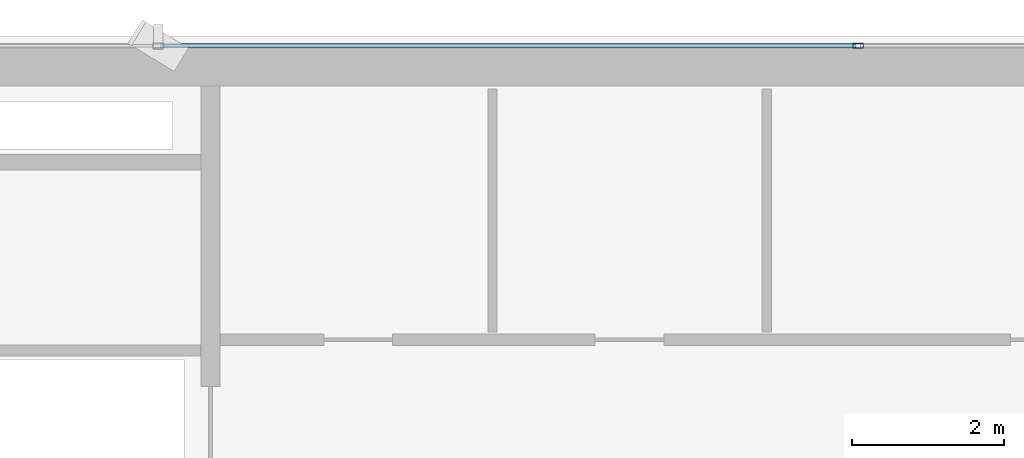
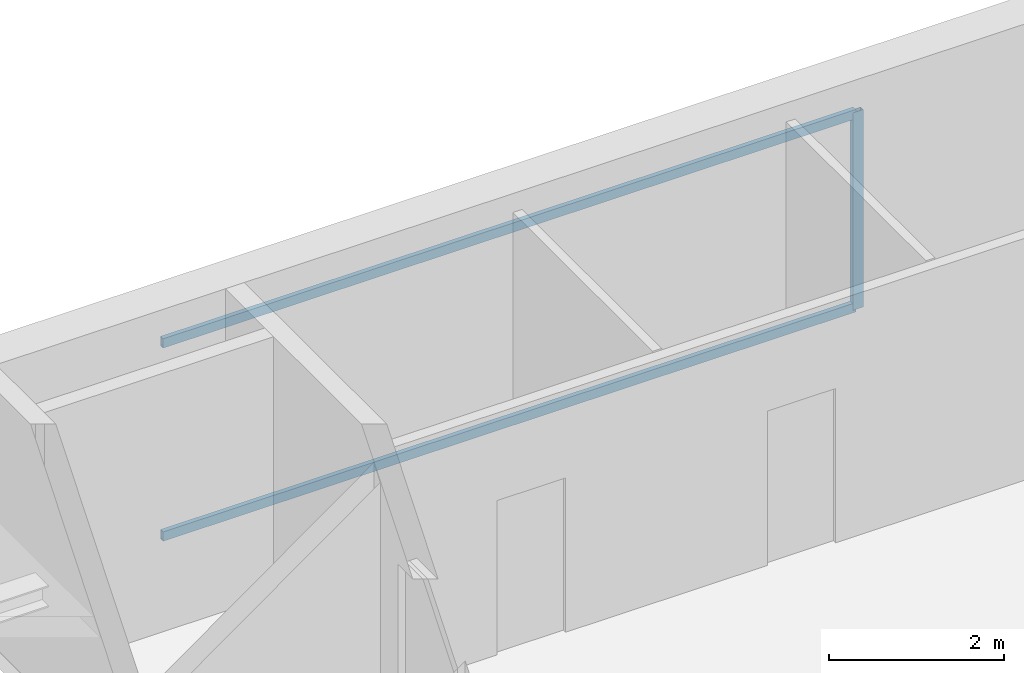
# One storey, part 16 of 26: 3 members, 1 element without a shape of its own.
"""IFC4 building model written with IfcOpenShell, lengths in metres."""

from ifc_helpers import new_model, si_unit, direction, frame, origin, origin_2d, place, context, subcontext, project, spatial, hollow_rectangle, extrude, source, transform, mapped, material, layer, layer_set, material_profile, profile_set, type_object, element, aggregate, save


model = new_model("IFC4")

# Units and contexts
model_context = context("Model", 3, precision=1e-05, world=origin(), true_north=direction((0.0, 1.0)))
body_context = subcontext(model_context, "Body", "Model", "MODEL_VIEW")
ifc_project = project(units=[si_unit("LENGTHUNIT", "METRE"), si_unit("AREAUNIT", "SQUARE_METRE"), si_unit("VOLUMEUNIT", "CUBIC_METRE"), si_unit("PLANEANGLEUNIT", "RADIAN"), si_unit("MASSUNIT", "GRAM", prefix="KILO")], contexts=[model_context])

# Site, building, storey
site_placement = place(None, origin())
site = spatial("IfcSite", under=ifc_project, at=site_placement, CompositionType="ELEMENT")
building_placement = place(site_placement, origin())
building = spatial("IfcBuilding", under=site, at=building_placement, Name="Sumidabori Civic Tower", CompositionType="ELEMENT")
storey_placement = place(building_placement, frame((0.0, 0.0, 264.800048828125)))
storey = spatial("IfcBuildingStorey", under=building, at=storey_placement, Name="L69", CompositionType="ELEMENT", Elevation=264.800048828125)

# Curtain wall, members
ifc_material = material(Name="Anodised Bronze Aluminium AW-6063-T6", Category="aluminium")
ifc_layer = layer(ifc_material, 0.179931640625, Name="Anodised Bronze Aluminium AW-6063-T6")
ifc_layer_set = layer_set([ifc_layer], Name="Anodised Bronze Aluminium AW-6063-T6")
curtain_wall_type = type_object("IfcCurtainWallType", Name="CW-SYS-5", PredefinedType="NOTDEFINED", material=ifc_layer_set)
curtain_wall_placement = place(storey_placement, origin())
curtain_wall = element("IfcCurtainWall", 1, at=curtain_wall_placement, inside=storey, type_object=curtain_wall_type, Name="Curtain Wall CW:L69:R07", PredefinedType="NOTDEFINED")
ifc_material_profile_1 = material_profile(ifc_material, hollow_rectangle(XDim=0.06005859375, YDim=0.1298828125, WallThickness=0.0048828125, at=origin_2d()), Name="ALU TRANSOM 130x60")
ifc_profile_set_1 = profile_set([ifc_material_profile_1], Name="Anodised Bronze Aluminium AW-6063-T6")
member_type_1 = type_object("IfcMemberType", Name="CW-TRN-130", PredefinedType="USERDEFINED", material=ifc_profile_set_1)
shared_shape_1 = source(origin(), body_context, "Body", "SweptSolid", [
    extrude(hollow_rectangle(XDim=0.06005859375, YDim=0.1298828125, WallThickness=0.0048828125, at=origin_2d()), origin(), (0.0, 0.0, 1.0), 9.125),
])
member_1_placement = place(storey_placement, frame((-0.030029296875, 24.080078125, 0.030029296875), z_axis=(-1.0, 0.0, 0.0), x_axis=(0.0, -1.0, 0.0)))
member_1 = element("IfcMember", 2, at=member_1_placement, type_object=member_type_1, Name="CW-5 transom 3.1", ObjectType="TRANSOM", PredefinedType="USERDEFINED", context=body_context, shape_type="MappedRepresentation", body=[
    mapped(shared_shape_1, transform((0.0, 0.0, 0.0), x_axis=(1.0, 0.0, 0.0), y_axis=(0.0, 1.0, 0.0), z_axis=(0.0, 0.0, 1.0), scale=1.0)),
])
member_2_placement = place(storey_placement, frame((-0.030029296875, 24.080078125, 2.719970703125), z_axis=(-1.0, 0.0, 0.0), x_axis=(0.0, -1.0, 0.0)))
member_2 = element("IfcMember", 3, at=member_2_placement, type_object=member_type_1, Name="CW-5 transom 3.2", ObjectType="TRANSOM", PredefinedType="USERDEFINED", context=body_context, shape_type="MappedRepresentation", body=[
    mapped(shared_shape_1, transform((0.0, 0.0, 0.0), x_axis=(1.0, 0.0, 0.0), y_axis=(0.0, 1.0, 0.0), z_axis=(0.0, 0.0, 1.0), scale=1.0)),
])
ifc_material_profile_2 = material_profile(ifc_material, hollow_rectangle(XDim=0.06005859375, YDim=0.139892578125, WallThickness=0.0048828125, at=origin_2d()), Name="ALU MULLION 140x60")
ifc_profile_set_2 = profile_set([ifc_material_profile_2], Name="Anodised Bronze Aluminium AW-6063-T6")
member_type_2 = type_object("IfcMemberType", Name="CW-MUL-140", PredefinedType="MULLION", material=ifc_profile_set_2)
shared_shape_2 = source(origin(), body_context, "Body", "SweptSolid", [
    extrude(hollow_rectangle(XDim=0.06005859375, YDim=0.139892578125, WallThickness=0.0048828125, at=origin_2d()), origin(), (0.0, 0.0, 1.0), 2.75),
])
member_3_placement = place(storey_placement, frame((0.0, 24.080078125, 0.0), z_axis=(0.0, 0.0, 1.0), x_axis=(0.0, -1.0, 0.0)))
member_3 = element("IfcMember", 4, at=member_3_placement, type_object=member_type_2, Name="CW-5 mullion 3", PredefinedType="MULLION", context=body_context, shape_type="MappedRepresentation", body=[
    mapped(shared_shape_2, transform((0.0, 0.0, 0.0), x_axis=(1.0, 0.0, 0.0), y_axis=(0.0, 1.0, 0.0), z_axis=(0.0, 0.0, 1.0), scale=1.0)),
])
aggregate(curtain_wall, [member_3, member_1, member_2])

save(model, "model.ifc")
